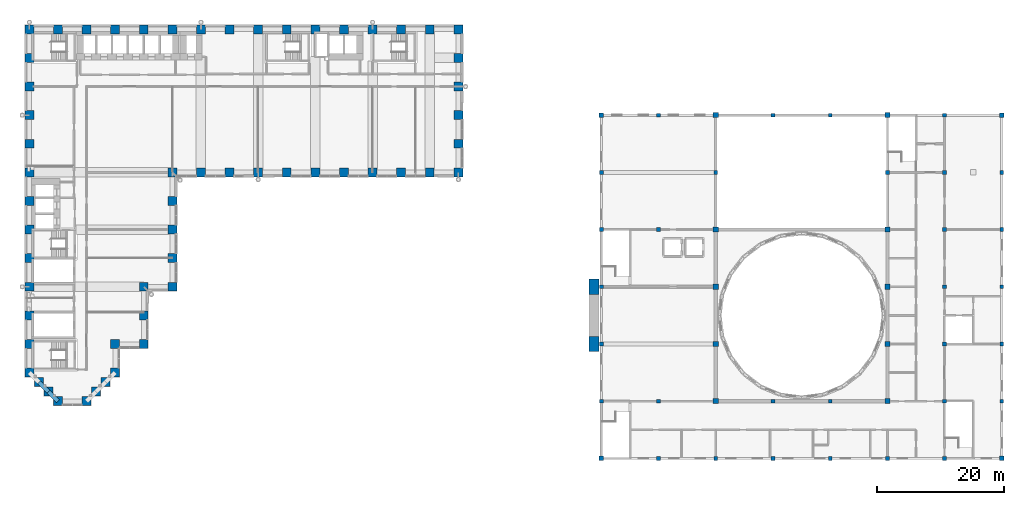
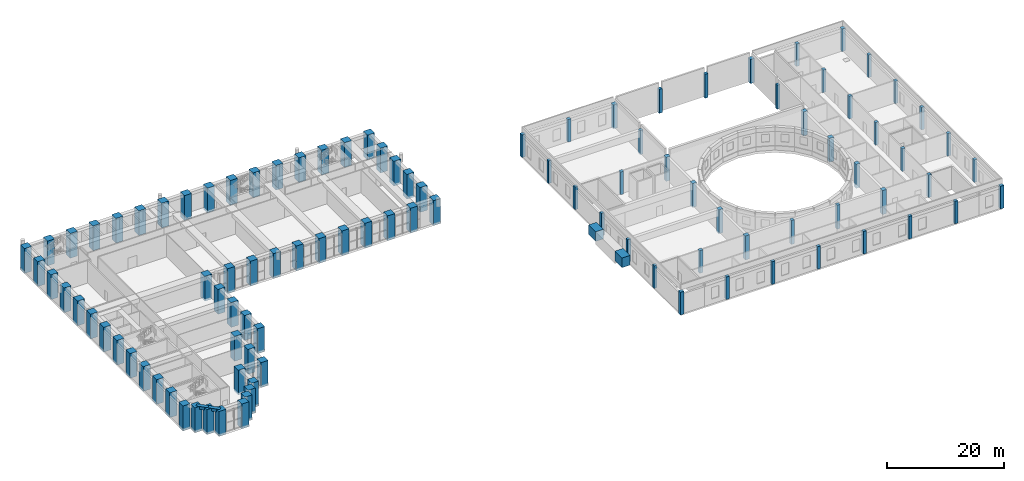
# One storey, part 1 of 35: 105 columns, 2 beams.
"""IFC4 building model written with IfcOpenShell, lengths in metres."""

import ifcopenshell
import ifcopenshell.guid

model = None  # the IFC model being written
_history = None  # IfcOwnerHistory: only IFC2X3 demands one
_inside = {}  # id of a spatial element -> (the spatial element, [elements in it])
_under = {}  # id of a project, library or spatial element -> (it, [spatial elements below it])
_declared = {}  # id of a project -> (the project, [libraries it declares])
_typed = {}  # id of a type object -> (the type object, [elements of that type])
_made_of = {}  # id of a material, layer set ... -> (it, [elements and type objects made of it])


def new_model(schema):
    """Start an empty IFC model of exactly this schema.

    Asked for "IFC4X3", IfcOpenShell would pick the latest addendum, in which some entities
    have other attributes; the version numbers below select the first issue.
    IFC2X3 requires an IfcOwnerHistory on every rooted entity: one is made here for all.
    """
    global model, _history
    if schema == "IFC4X3":
        model = ifcopenshell.file(schema_version=(4, 3, 0, 0))
    else:
        model = ifcopenshell.file(schema=schema)
    _inside.clear()
    _under.clear()
    _declared.clear()
    _typed.clear()
    _made_of.clear()
    _history = None
    if model.schema == "IFC2X3":
        org = make("IfcOrganization", Name="unknown")
        user = make(
            "IfcPersonAndOrganization",
            ThePerson=make("IfcPerson", FamilyName="unknown"),
            TheOrganization=org,
        )
        app = make(
            "IfcApplication",
            ApplicationDeveloper=org,
            Version="unknown",
            ApplicationFullName="unknown",
            ApplicationIdentifier="unknown",
        )
        _history = make(
            "IfcOwnerHistory",
            OwningUser=user,
            OwningApplication=app,
            ChangeAction="ADDED",
            CreationDate=0,
        )
    return model


def make(cls, **values):
    """One entity of the class cls with the attributes given. An attribute that is None is left unset."""
    return model.create_entity(
        cls, **{name: value for name, value in values.items() if value is not None}
    )


def rooted(cls, **values):
    """An entity with a GlobalId (a new one), such as an element, a storey or a relation."""
    return make(cls, GlobalId=ifcopenshell.guid.new(), OwnerHistory=_history, **values)


def si_unit(unit_type, name, prefix=None):
    """IfcSIUnit, for example si_unit("LENGTHUNIT", "METRE", prefix="MILLI")."""
    return make("IfcSIUnit", UnitType=unit_type, Prefix=prefix, Name=name)


def assignment(units):
    """IfcUnitAssignment: the units of a project."""
    return None if units is None else make("IfcUnitAssignment", Units=units)


def point(xyz):
    """IfcCartesianPoint."""
    return None if xyz is None else make("IfcCartesianPoint", Coordinates=xyz)


def direction(xyz):
    """IfcDirection."""
    return None if xyz is None else make("IfcDirection", DirectionRatios=xyz)


def frame(location, z_axis=None, x_axis=None):
    """IfcAxis2Placement3D, a coordinate frame: its origin and axes. An axis left out is left unset."""
    return make(
        "IfcAxis2Placement3D",
        Location=point(location),
        Axis=direction(z_axis),
        RefDirection=direction(x_axis),
    )


def frame_2d(location, x_axis=None):
    """IfcAxis2Placement2D, a coordinate frame in the plane: its origin and x axis."""
    return make(
        "IfcAxis2Placement2D", Location=point(location), RefDirection=direction(x_axis)
    )


def origin():
    """The frame at (0, 0, 0) with its axes left unset."""
    return frame((0.0, 0.0, 0.0))


def origin_2d():
    """The frame at (0, 0) in the plane with its x axis left unset."""
    return frame_2d((0.0, 0.0))


def place(relative_to, where):
    """IfcLocalPlacement: puts the frame where relative to a parent placement (None: the world)."""
    return make(
        "IfcLocalPlacement", PlacementRelTo=relative_to, RelativePlacement=where
    )


def context(
    kind, dimensions, precision=None, world=None, true_north=None, identifier=None
):
    """IfcGeometricRepresentationContext, for example the 3D "Model" context."""
    return make(
        "IfcGeometricRepresentationContext",
        ContextIdentifier=identifier,
        ContextType=kind,
        CoordinateSpaceDimension=dimensions,
        Precision=precision,
        WorldCoordinateSystem=world,
        TrueNorth=true_north,
    )


def subcontext(parent, identifier, kind, view, scale=None):
    """IfcGeometricRepresentationSubContext, for example "Body" below "Model"."""
    return make(
        "IfcGeometricRepresentationSubContext",
        ContextIdentifier=identifier,
        ContextType=kind,
        ParentContext=parent,
        TargetScale=scale,
        TargetView=view,
    )


def project(units=None, contexts=None):
    """IfcProject with its units and contexts."""
    return rooted(
        "IfcProject",
        Name="project",
        RepresentationContexts=contexts,
        UnitsInContext=assignment(units),
    )


def spatial(cls, under=None, at=None, **own):
    """A site, building, storey or space (cls), placed at a placement, below another one or the project."""
    s = rooted(cls, ObjectPlacement=at, **own)
    if under is not None:
        _under.setdefault(under.id(), (under, []))[1].append(s)
    return s


def profile(cls, at=None, kind="AREA", **sizes):
    """A parametric profile (cls). Its sizes go by their IFC names, for example OverallWidth=200.0."""
    return make(cls, ProfileType=kind, Position=at, **sizes)


def rectangle(**sizes):
    """IfcRectangleProfileDef."""
    return profile("IfcRectangleProfileDef", **sizes)


def extrude(swept, where, along, depth):
    """IfcExtrudedAreaSolid: the profile swept, set in the frame where, extruded along a direction by depth."""
    return make(
        "IfcExtrudedAreaSolid",
        SweptArea=swept,
        Position=where,
        ExtrudedDirection=direction(along),
        Depth=depth,
    )


def shape(context_of_items, identifier, shape_type, items):
    """IfcShapeRepresentation: the items that make up one representation, for example the "Body"."""
    return make(
        "IfcShapeRepresentation",
        ContextOfItems=context_of_items,
        RepresentationIdentifier=identifier,
        RepresentationType=shape_type,
        Items=items,
    )


def material(Name=None, Category=None):
    """IfcMaterial."""
    return make("IfcMaterial", Name=Name, Category=Category)


def material_profile(
    of_material, cross_section, Name=None, Category=None, Priority=None
):
    """IfcMaterialProfile: a cross section and its material."""
    return make(
        "IfcMaterialProfile",
        Name=Name,
        Material=of_material,
        Profile=cross_section,
        Priority=Priority,
        Category=Category,
    )


def profile_set(profiles, Name=None, composite=None):
    """IfcMaterialProfileSet."""
    return make(
        "IfcMaterialProfileSet",
        Name=Name,
        MaterialProfiles=profiles,
        CompositeProfile=composite,
    )


def made_of(thing, what):
    """Note that an element or type object is made of a material, layer set ...; save() writes the relation."""
    if what is not None:
        _made_of.setdefault(what.id(), (what, []))[1].append(thing)
    return thing


def type_object(cls, material=None, **own):
    """A type object (cls), such as IfcWallType, which elements share."""
    return made_of(rooted(cls, **own), material)


def element(
    cls,
    number,
    at=None,
    inside=None,
    cuts=None,
    type_object=None,
    material=None,
    context=None,
    identifier="Body",
    shape_type=None,
    held_by="IfcProductDefinitionShape",
    body=None,
    shapes=None,
    **own,
):
    """One element of the class cls, such as IfcWall. Its Tag is "e" and its number.

    at: its placement. inside: the storey or other place that contains it. cuts: it is an
    opening in that element (IfcRelVoidsElement). A single representation is given by context,
    identifier, shape_type and body (its items); several are given by shapes. held_by: the class
    of the entity that holds the representations. save() writes the other relations.
    """
    e = rooted(cls, Tag="e%d" % number, ObjectPlacement=at, **own)
    if body is not None:
        shapes = [shape(context, identifier, shape_type, body)]
    if shapes is not None:
        e.Representation = make(held_by, Representations=shapes)
    if inside is not None:
        _inside.setdefault(inside.id(), (inside, []))[1].append(e)
    if cuts is not None:
        rooted(
            "IfcRelVoidsElement", RelatingBuildingElement=cuts, RelatedOpeningElement=e
        )
    if type_object is not None:
        _typed.setdefault(type_object.id(), (type_object, []))[1].append(e)
    return made_of(e, material)


def aggregate(whole, parts):
    """IfcRelAggregates: a whole, such as a stair, and the parts it consists of."""
    return rooted("IfcRelAggregates", RelatingObject=whole, RelatedObjects=parts)


def save(model, path):
    """Write the relations noted so far, then the file.

    IfcRelAggregates (storeys below a building ...), IfcRelContainedInSpatialStructure (elements
    in a storey), IfcRelDefinesByType, IfcRelAssociatesMaterial and IfcRelDeclares: one each for
    every whole, place, type object, material and project.
    """
    for whole, parts in _under.values():
        aggregate(whole, parts)
    for where, things in _inside.values():
        rooted(
            "IfcRelContainedInSpatialStructure",
            RelatedElements=things,
            RelatingStructure=where,
        )
    for kind, things in _typed.values():
        rooted("IfcRelDefinesByType", RelatedObjects=things, RelatingType=kind)
    for what, things in _made_of.values():
        rooted("IfcRelAssociatesMaterial", RelatedObjects=things, RelatingMaterial=what)
    for by, libraries in _declared.values():
        rooted("IfcRelDeclares", RelatingContext=by, RelatedDefinitions=libraries)
    model.write(path)


model = new_model("IFC4")

# Units and contexts
model_context = context("Model", 3, precision=1e-05, world=origin(), true_north=direction((0.0, 1.0)))
body_context = subcontext(model_context, "Body", "Model", "MODEL_VIEW")
ifc_project = project(units=[si_unit("LENGTHUNIT", "METRE"), si_unit("AREAUNIT", "SQUARE_METRE"), si_unit("VOLUMEUNIT", "CUBIC_METRE"), si_unit("PLANEANGLEUNIT", "RADIAN"), si_unit("MASSUNIT", "GRAM", prefix="KILO")], contexts=[model_context])

# Site, building, storey
site_placement = place(None, origin())
site = spatial("IfcSite", under=ifc_project, at=site_placement, CompositionType="ELEMENT")
building_placement = place(site_placement, origin())
building = spatial("IfcBuilding", under=site, at=building_placement, Name="Firuza Court", CompositionType="ELEMENT")
storey_placement = place(building_placement, frame((0.0, 0.0, 24.0)))
storey = spatial("IfcBuildingStorey", under=building, at=storey_placement, Name="L04", CompositionType="ELEMENT", Elevation=24.0)

# Columns
ifc_material_1 = material(Name="Concrete C40/50", Category="concrete")
ifc_material_profile_1 = material_profile(ifc_material_1, rectangle(XDim=0.60009765625, YDim=0.60009765625, at=origin_2d()), Name="RC 600X600")
ifc_profile_set_1 = profile_set([ifc_material_profile_1], Name="Concrete C40/50")
column_type_1 = type_object("IfcColumnType", Name="RC COLUMN 600X600", PredefinedType="COLUMN", material=ifc_profile_set_1)
for number, where, z_axis, x_axis, name in (
    (1, (90.0, 0.0, 0.0), (0.0, 0.0, 1.0), (1.0, 0.0, 0.0), "Column 1-2 L04"),
    (2, (90.0, 9.0, 0.0), (0.0, 0.0, 1.0), (1.0, 0.0, 0.0), "Column 1-3 L04"),
    (3, (90.0, 18.0, 0.0), (0.0, 0.0, 1.0), (1.0, 0.0, 0.0), "Column 1-4 L04"),
    (4, (90.0, 27.0, 0.0), (0.0, 0.0, 1.0), (1.0, 0.0, 0.0), "Column 1-5 L04"),
    (5, (90.0, 36.0, 0.0), (0.0, 0.0, 1.0), (1.0, 0.0, 0.0), "Column 1-6 L04"),
    (6, (99.0, -9.0, 0.0), (0.0, 0.0, 1.0), (1.0, 0.0, 0.0), "Column 2-1 L04"),
    (7, (99.0, 0.0, 0.0), (0.0, 0.0, 1.0), (1.0, 0.0, 0.0), "Column 2-2 L04"),
    (8, (99.0, 27.0, 0.0), (0.0, 0.0, 1.0), (1.0, 0.0, 0.0), "Column 2-5 L04"),
    (9, (99.0, 45.0, 0.0), (0.0, 0.0, 1.0), (1.0, 0.0, 0.0), "Column 2-7 L04"),
    (10, (108.0, -9.0, 0.0), (0.0, 0.0, 1.0), (1.0, 0.0, 0.0), "Column 3-1 L04"),
):
    element("IfcColumn", number, at=place(storey_placement, frame(where, z_axis=z_axis, x_axis=x_axis)), inside=storey, type_object=column_type_1, Name=name, PredefinedType="COLUMN", context=body_context, shape_type="SweptSolid", body=[
        extrude(rectangle(XDim=0.60009765625, YDim=0.60009765625, at=origin_2d()), origin(), (0.0, 0.0, 1.0), 4.699951171875),
    ])
column_1_placement = place(storey_placement, frame((108.0, 36.0, -0.300048828125), z_axis=(0.0, 0.0, 1.0), x_axis=(1.0, 0.0, 0.0)))
element("IfcColumn", 11, at=column_1_placement, inside=storey, type_object=column_type_1, Name="Column 3-6 L04", PredefinedType="COLUMN", context=body_context, shape_type="SweptSolid", body=[
    extrude(rectangle(XDim=0.60009765625, YDim=0.60009765625, at=origin_2d()), origin(), (0.0, 0.0, 1.0), 5.0),
])
column_2_placement = place(storey_placement, frame((117.0, -9.0, 0.0), z_axis=(0.0, 0.0, 1.0), x_axis=(1.0, 0.0, 0.0)))
element("IfcColumn", 12, at=column_2_placement, inside=storey, type_object=column_type_1, Name="Column 4-1 L04", PredefinedType="COLUMN", context=body_context, shape_type="SweptSolid", body=[
    extrude(rectangle(XDim=0.60009765625, YDim=0.60009765625, at=origin_2d()), origin(), (0.0, 0.0, 1.0), 4.699951171875),
])
for number, where, z_axis, x_axis, name in (
    (13, (117.0, 0.0, -0.300048828125), (0.0, 0.0, 1.0), (1.0, 0.0, 0.0), "Column 4-2 L04"),
    (14, (117.0, 45.0, -0.300048828125), (0.0, 0.0, 1.0), (1.0, 0.0, 0.0), "Column 4-7 L04"),
):
    element("IfcColumn", number, at=place(storey_placement, frame(where, z_axis=z_axis, x_axis=x_axis)), inside=storey, type_object=column_type_1, Name=name, PredefinedType="COLUMN", context=body_context, shape_type="SweptSolid", body=[
        extrude(rectangle(XDim=0.60009765625, YDim=0.60009765625, at=origin_2d()), origin(), (0.0, 0.0, 1.0), 5.0),
    ])
column_3_placement = place(storey_placement, frame((126.0, -9.0, 0.0), z_axis=(0.0, 0.0, 1.0), x_axis=(1.0, 0.0, 0.0)))
element("IfcColumn", 15, at=column_3_placement, inside=storey, type_object=column_type_1, Name="Column 5-1 L04", PredefinedType="COLUMN", context=body_context, shape_type="SweptSolid", body=[
    extrude(rectangle(XDim=0.60009765625, YDim=0.60009765625, at=origin_2d()), origin(), (0.0, 0.0, 1.0), 4.699951171875),
])
for number, where, z_axis, x_axis, name in (
    (16, (126.0, 0.0, -0.300048828125), (0.0, 0.0, 1.0), (1.0, 0.0, 0.0), "Column 5-2 L04"),
    (17, (126.0, 45.0, -0.300048828125), (0.0, 0.0, 1.0), (1.0, 0.0, 0.0), "Column 5-7 L04"),
):
    element("IfcColumn", number, at=place(storey_placement, frame(where, z_axis=z_axis, x_axis=x_axis)), inside=storey, type_object=column_type_1, Name=name, PredefinedType="COLUMN", context=body_context, shape_type="SweptSolid", body=[
        extrude(rectangle(XDim=0.60009765625, YDim=0.60009765625, at=origin_2d()), origin(), (0.0, 0.0, 1.0), 5.0),
    ])
column_4_placement = place(storey_placement, frame((135.0, -9.0, 0.0), z_axis=(0.0, 0.0, 1.0), x_axis=(1.0, 0.0, 0.0)))
element("IfcColumn", 18, at=column_4_placement, inside=storey, type_object=column_type_1, Name="Column 6-1 L04", PredefinedType="COLUMN", context=body_context, shape_type="SweptSolid", body=[
    extrude(rectangle(XDim=0.60009765625, YDim=0.60009765625, at=origin_2d()), origin(), (0.0, 0.0, 1.0), 4.699951171875),
])
column_5_placement = place(storey_placement, frame((135.0, 36.0, -0.300048828125), z_axis=(0.0, 0.0, 1.0), x_axis=(1.0, 0.0, 0.0)))
element("IfcColumn", 19, at=column_5_placement, inside=storey, type_object=column_type_1, Name="Column 6-6 L04", PredefinedType="COLUMN", context=body_context, shape_type="SweptSolid", body=[
    extrude(rectangle(XDim=0.60009765625, YDim=0.60009765625, at=origin_2d()), origin(), (0.0, 0.0, 1.0), 5.0),
])
for number, where, z_axis, x_axis, name in (
    (20, (144.0, -9.0, 0.0), (0.0, 0.0, 1.0), (1.0, 0.0, 0.0), "Column 7-1 L04"),
    (21, (144.0, 0.0, 0.0), (0.0, 0.0, 1.0), (1.0, 0.0, 0.0), "Column 7-2 L04"),
    (22, (144.0, 9.0, 0.0), (0.0, 0.0, 1.0), (1.0, 0.0, 0.0), "Column 7-3 L04"),
    (23, (144.0, 18.0, 0.0), (0.0, 0.0, 1.0), (1.0, 0.0, 0.0), "Column 7-4 L04"),
    (24, (144.0, 27.0, 0.0), (0.0, 0.0, 1.0), (1.0, 0.0, 0.0), "Column 7-5 L04"),
    (25, (144.0, 36.0, 0.0), (0.0, 0.0, 1.0), (1.0, 0.0, 0.0), "Column 7-6 L04"),
    (26, (144.0, 45.0, 0.0), (0.0, 0.0, 1.0), (1.0, 0.0, 0.0), "Column 7-7 L04"),
    (27, (153.0, 0.0, 0.0), (0.0, 0.0, 1.0), (1.0, 0.0, 0.0), "Column 8-2 L04"),
    (28, (153.0, 9.0, 0.0), (0.0, 0.0, 1.0), (1.0, 0.0, 0.0), "Column 8-3 L04"),
    (29, (153.0, 18.0, 0.0), (0.0, 0.0, 1.0), (1.0, 0.0, 0.0), "Column 8-4 L04"),
    (30, (153.0, 27.0, 0.0), (0.0, 0.0, 1.0), (1.0, 0.0, 0.0), "Column 8-5 L04"),
    (31, (153.0, 36.0, 0.0), (0.0, 0.0, 1.0), (1.0, 0.0, 0.0), "Column 8-6 L04"),
):
    element("IfcColumn", number, at=place(storey_placement, frame(where, z_axis=z_axis, x_axis=x_axis)), inside=storey, type_object=column_type_1, Name=name, PredefinedType="COLUMN", context=body_context, shape_type="SweptSolid", body=[
        extrude(rectangle(XDim=0.60009765625, YDim=0.60009765625, at=origin_2d()), origin(), (0.0, 0.0, 1.0), 4.699951171875),
    ])
ifc_material_2 = material(Name="Concrete C40/50", Category="concrete")
ifc_material_profile_2 = material_profile(ifc_material_2, rectangle(XDim=0.699951171875, YDim=0.699951171875, at=origin_2d()), Name="RC 700X700")
ifc_profile_set_2 = profile_set([ifc_material_profile_2], Name="Concrete C40/50")
column_type_2 = type_object("IfcColumnType", Name="RC COLUMN 700X700", PredefinedType="COLUMN", material=ifc_profile_set_2)
for number, where, z_axis, x_axis, name in (
    (32, (90.0, -9.0, 0.0), (0.0, 0.0, 1.0), (1.0, 0.0, 0.0), "Column 1-1 L04"),
    (33, (90.0, 45.0, 0.0), (0.0, 0.0, 1.0), (1.0, 0.0, 0.0), "Column 1-7 L04"),
    (34, (153.0, -9.0, 0.0), (0.0, 0.0, 1.0), (1.0, 0.0, 0.0), "Column 8-1 L04"),
    (35, (153.0, 45.0, 0.0), (0.0, 0.0, 1.0), (1.0, 0.0, 0.0), "Column 8-7 L04"),
):
    element("IfcColumn", number, at=place(storey_placement, frame(where, z_axis=z_axis, x_axis=x_axis)), inside=storey, type_object=column_type_2, Name=name, PredefinedType="COLUMN", context=body_context, shape_type="SweptSolid", body=[
        extrude(rectangle(XDim=0.699951171875, YDim=0.699951171875, at=origin_2d()), origin(), (0.0, 0.0, 1.0), 4.699951171875),
    ])
ifc_material_3 = material(Name="Concrete C40/50", Category="concrete")
ifc_material_profile_3 = material_profile(ifc_material_3, rectangle(XDim=0.800048828125, YDim=0.800048828125, at=origin_2d()), Name="RC 800X800")
ifc_profile_set_3 = profile_set([ifc_material_profile_3], Name="Concrete C40/50")
column_type_3 = type_object("IfcColumnType", Name="RC COLUMN 800X800", PredefinedType="COLUMN", material=ifc_profile_set_3)
for number, where, z_axis, x_axis, name in (
    (36, (108.0, 0.0, -0.300048828125), (0.0, 0.0, 1.0), (1.0, 0.0, 0.0), "Column 3-2 L04"),
    (37, (108.0, 9.0, -0.300048828125), (0.0, 0.0, 1.0), (1.0, 0.0, 0.0), "Column 3-3 L04"),
    (38, (108.0, 18.0, -0.300048828125), (0.0, 0.0, 1.0), (1.0, 0.0, 0.0), "Column 3-4 L04"),
    (39, (108.0, 27.0, -0.300048828125), (0.0, 0.0, 1.0), (1.0, 0.0, 0.0), "Column 3-5 L04"),
    (40, (108.0, 45.0, -0.300048828125), (0.0, 0.0, 1.0), (1.0, 0.0, 0.0), "Column 3-7 L04"),
    (41, (135.0, 0.0, -0.300048828125), (0.0, 0.0, 1.0), (1.0, 0.0, 0.0), "Column 6-2 L04"),
    (42, (135.0, 9.0, -0.300048828125), (0.0, 0.0, 1.0), (1.0, 0.0, 0.0), "Column 6-3 L04"),
    (43, (135.0, 18.0, -0.300048828125), (0.0, 0.0, 1.0), (1.0, 0.0, 0.0), "Column 6-4 L04"),
    (44, (135.0, 27.0, -0.300048828125), (0.0, 0.0, 1.0), (1.0, 0.0, 0.0), "Column 6-5 L04"),
    (45, (135.0, 45.0, -0.300048828125), (0.0, 0.0, 1.0), (1.0, 0.0, 0.0), "Column 6-7 L04"),
):
    element("IfcColumn", number, at=place(storey_placement, frame(where, z_axis=z_axis, x_axis=x_axis)), inside=storey, type_object=column_type_3, Name=name, PredefinedType="COLUMN", context=body_context, shape_type="SweptSolid", body=[
        extrude(rectangle(XDim=0.800048828125, YDim=0.800048828125, at=origin_2d()), origin(), (0.0, 0.0, 1.0), 5.0),
    ])
ifc_material_4 = material(Name="Concrete C40/50", Category="concrete")
ifc_material_profile_4 = material_profile(ifc_material_4, rectangle(XDim=1.60009765625, YDim=2.39990234375, at=origin_2d()), Name="RC 1600X2400")
ifc_profile_set_4 = profile_set([ifc_material_profile_4], Name="Concrete C40/50")
column_type_4 = type_object("IfcColumnType", Name="RC PORTAL PIER 1600X2400", PredefinedType="COLUMN", material=ifc_profile_set_4)
for number, where, z_axis, x_axis, name in (
    (46, (88.85009765625, 9.0, 0.0), (0.0, 0.0, 1.0), (1.0, 0.0, 0.0), "Portal pier 1 L04"),
    (47, (88.85009765625, 18.0, 0.0), (0.0, 0.0, 1.0), (1.0, 0.0, 0.0), "Portal pier 2 L04"),
):
    element("IfcColumn", number, at=place(storey_placement, frame(where, z_axis=z_axis, x_axis=x_axis)), inside=storey, type_object=column_type_4, Name=name, PredefinedType="COLUMN", context=body_context, shape_type="SweptSolid", body=[
        extrude(rectangle(XDim=1.60009765625, YDim=2.39990234375, at=origin_2d()), origin(), (0.0, 0.0, 1.0), 2.0),
    ])
ifc_material_5 = material(Name="Concrete C80/95", Category="concrete")
ifc_material_profile_5 = material_profile(ifc_material_5, rectangle(XDim=1.39990234375, YDim=1.39990234375, at=origin_2d()), Name="RC 1400x1400")
ifc_profile_set_5 = profile_set([ifc_material_profile_5], Name="Concrete C80/95")
column_type_5 = type_object("IfcColumnType", Name="Tube column RC 1400x1400 C80/95", PredefinedType="COLUMN", material=ifc_profile_set_5)
for number, where, z_axis, x_axis, name in (
    (48, (4.5, 0.0, -0.449951171875), (0.0, 0.0, 1.0), (1.0, 0.0, 0.0), "Column C-2D L04"),
    (49, (9.0, 0.0, -0.449951171875), (0.0, 0.0, 1.0), (1.0, 0.0, 0.0), "Column C-3D L04"),
    (50, (3.0, 1.5, -0.449951171875), (0.0, 0.0, 1.0), (1.0, 0.0, 0.0), "Column C-SA1 L04"),
    (51, (10.5, 1.5, -0.449951171875), (0.0, 0.0, 1.0), (1.0, 0.0, 0.0), "Column C-SA2 L04"),
    (52, (1.5, 3.0, -0.449951171875), (0.0, 0.0, 1.0), (1.0, 0.0, 0.0), "Column C-SA3 L04"),
    (53, (12.0, 3.0, -0.449951171875), (0.0, 0.0, 1.0), (1.0, 0.0, 0.0), "Column C-SA4 L04"),
    (54, (0.0, 4.5, -0.449951171875), (0.0, 0.0, 1.0), (1.0, 0.0, 0.0), "Column C-1E L04"),
    (55, (13.5, 4.5, -0.449951171875), (0.0, 0.0, 1.0), (1.0, 0.0, 0.0), "Column C-4E L04"),
    (56, (0.0, 9.0, -0.449951171875), (0.0, 0.0, 1.0), (1.0, 0.0, 0.0), "Column C-1F L04"),
    (57, (13.5, 9.0, -0.449951171875), (0.0, 0.0, 1.0), (1.0, 0.0, 0.0), "Column C-4F L04"),
    (58, (18.0, 9.0, -0.449951171875), (0.0, 0.0, 1.0), (1.0, 0.0, 0.0), "Column C-5F L04"),
    (59, (0.0, 13.5, -0.449951171875), (0.0, 0.0, 1.0), (1.0, 0.0, 0.0), "Column C-1G L04"),
    (60, (18.0, 13.5, -0.449951171875), (0.0, 0.0, 1.0), (1.0, 0.0, 0.0), "Column C-5G L04"),
    (61, (0.0, 18.0, -0.449951171875), (0.0, 0.0, 1.0), (1.0, 0.0, 0.0), "Column C-1H L04"),
    (62, (18.0, 18.0, -0.449951171875), (0.0, 0.0, 1.0), (1.0, 0.0, 0.0), "Column C-5H L04"),
    (63, (22.5, 18.0, -0.449951171875), (0.0, 0.0, 1.0), (1.0, 0.0, 0.0), "Column C-6H L04"),
    (64, (0.0, 22.5, -0.449951171875), (0.0, 0.0, 1.0), (1.0, 0.0, 0.0), "Column C-1J L04"),
    (65, (22.5, 22.5, -0.449951171875), (0.0, 0.0, 1.0), (1.0, 0.0, 0.0), "Column C-6J L04"),
    (66, (0.0, 27.0, -0.449951171875), (0.0, 0.0, 1.0), (1.0, 0.0, 0.0), "Column C-1K L04"),
    (67, (22.5, 27.0, -0.449951171875), (0.0, 0.0, 1.0), (1.0, 0.0, 0.0), "Column C-6K L04"),
    (68, (0.0, 31.5, -0.449951171875), (0.0, 0.0, 1.0), (1.0, 0.0, 0.0), "Column C-1L L04"),
    (69, (22.5, 31.5, -0.449951171875), (0.0, 0.0, 1.0), (1.0, 0.0, 0.0), "Column C-6L L04"),
    (70, (0.0, 36.0, -0.449951171875), (0.0, 0.0, 1.0), (1.0, 0.0, 0.0), "Column C-1M L04"),
    (71, (22.5, 36.0, -0.449951171875), (0.0, 0.0, 1.0), (1.0, 0.0, 0.0), "Column C-6M L04"),
    (72, (27.0, 36.0, -0.449951171875), (0.0, 0.0, 1.0), (1.0, 0.0, 0.0), "Column C-7M L04"),
    (73, (31.5, 36.0, -0.449951171875), (0.0, 0.0, 1.0), (1.0, 0.0, 0.0), "Column C-8M L04"),
    (74, (36.0, 36.0, -0.449951171875), (0.0, 0.0, 1.0), (1.0, 0.0, 0.0), "Column C-9M L04"),
    (75, (40.5, 36.0, -0.449951171875), (0.0, 0.0, 1.0), (1.0, 0.0, 0.0), "Column C-10M L04"),
    (76, (45.0, 36.0, -0.449951171875), (0.0, 0.0, 1.0), (1.0, 0.0, 0.0), "Column C-11M L04"),
    (77, (49.5, 36.0, -0.449951171875), (0.0, 0.0, 1.0), (1.0, 0.0, 0.0), "Column C-12M L04"),
    (78, (54.0, 36.0, -0.449951171875), (0.0, 0.0, 1.0), (1.0, 0.0, 0.0), "Column C-13M L04"),
    (79, (58.5, 36.0, -0.449951171875), (0.0, 0.0, 1.0), (1.0, 0.0, 0.0), "Column C-14M L04"),
    (80, (63.0, 36.0, -0.449951171875), (0.0, 0.0, 1.0), (1.0, 0.0, 0.0), "Column C-15M L04"),
    (81, (67.5, 36.0, -0.449951171875), (0.0, 0.0, 1.0), (1.0, 0.0, 0.0), "Column C-16M L04"),
    (82, (0.0, 40.5, -0.449951171875), (0.0, 0.0, 1.0), (1.0, 0.0, 0.0), "Column C-1N L04"),
    (83, (67.5, 40.5, -0.449951171875), (0.0, 0.0, 1.0), (1.0, 0.0, 0.0), "Column C-16N L04"),
    (84, (0.0, 45.0, -0.449951171875), (0.0, 0.0, 1.0), (1.0, 0.0, 0.0), "Column C-1P L04"),
    (85, (67.5, 45.0, -0.449951171875), (0.0, 0.0, 1.0), (1.0, 0.0, 0.0), "Column C-16P L04"),
    (86, (0.0, 49.5, -0.449951171875), (0.0, 0.0, 1.0), (1.0, 0.0, 0.0), "Column C-1Q L04"),
    (87, (67.5, 49.5, -0.449951171875), (0.0, 0.0, 1.0), (1.0, 0.0, 0.0), "Column C-16Q L04"),
    (88, (0.0, 54.0, -0.449951171875), (0.0, 0.0, 1.0), (1.0, 0.0, 0.0), "Column C-1R L04"),
    (89, (67.5, 54.0, -0.449951171875), (0.0, 0.0, 1.0), (1.0, 0.0, 0.0), "Column C-16R L04"),
    (90, (0.0, 58.5, -0.449951171875), (0.0, 0.0, 1.0), (1.0, 0.0, 0.0), "Column C-1S L04"),
    (91, (4.5, 58.5, -0.449951171875), (0.0, 0.0, 1.0), (1.0, 0.0, 0.0), "Column C-2S L04"),
    (92, (9.0, 58.5, -0.449951171875), (0.0, 0.0, 1.0), (1.0, 0.0, 0.0), "Column C-3S L04"),
    (93, (13.5, 58.5, -0.449951171875), (0.0, 0.0, 1.0), (1.0, 0.0, 0.0), "Column C-4S L04"),
    (94, (18.0, 58.5, -0.449951171875), (0.0, 0.0, 1.0), (1.0, 0.0, 0.0), "Column C-5S L04"),
    (95, (22.5, 58.5, -0.449951171875), (0.0, 0.0, 1.0), (1.0, 0.0, 0.0), "Column C-6S L04"),
    (96, (27.0, 58.5, -0.449951171875), (0.0, 0.0, 1.0), (1.0, 0.0, 0.0), "Column C-7S L04"),
    (97, (31.5, 58.5, -0.449951171875), (0.0, 0.0, 1.0), (1.0, 0.0, 0.0), "Column C-8S L04"),
    (98, (36.0, 58.5, -0.449951171875), (0.0, 0.0, 1.0), (1.0, 0.0, 0.0), "Column C-9S L04"),
    (99, (40.5, 58.5, -0.449951171875), (0.0, 0.0, 1.0), (1.0, 0.0, 0.0), "Column C-10S L04"),
    (100, (45.0, 58.5, -0.449951171875), (0.0, 0.0, 1.0), (1.0, 0.0, 0.0), "Column C-11S L04"),
    (101, (49.5, 58.5, -0.449951171875), (0.0, 0.0, 1.0), (1.0, 0.0, 0.0), "Column C-12S L04"),
    (102, (54.0, 58.5, -0.449951171875), (0.0, 0.0, 1.0), (1.0, 0.0, 0.0), "Column C-13S L04"),
    (103, (58.5, 58.5, -0.449951171875), (0.0, 0.0, 1.0), (1.0, 0.0, 0.0), "Column C-14S L04"),
    (104, (63.0, 58.5, -0.449951171875), (0.0, 0.0, 1.0), (1.0, 0.0, 0.0), "Column C-15S L04"),
    (105, (67.5, 58.5, -0.449951171875), (0.0, 0.0, 1.0), (1.0, 0.0, 0.0), "Column C-16S L04"),
):
    element("IfcColumn", number, at=place(storey_placement, frame(where, z_axis=z_axis, x_axis=x_axis)), inside=storey, type_object=column_type_5, Name=name, PredefinedType="COLUMN", context=body_context, shape_type="SweptSolid", body=[
        extrude(rectangle(XDim=1.39990234375, YDim=1.39990234375, at=origin_2d()), origin(), (0.0, 0.0, 1.0), 5.14990234375),
    ])

# Beams
ifc_material_6 = material(Name="Concrete C40/50", Category="concrete")
ifc_material_profile_6 = material_profile(ifc_material_6, rectangle(XDim=0.699951171875, YDim=0.60009765625, at=origin_2d()), Name="RC 700x600")
ifc_profile_set_6 = profile_set([ifc_material_profile_6], Name="Concrete C40/50")
beam_type = type_object("IfcBeamType", Name="Spandrel beam RC 700x600 C40/50", PredefinedType="BEAM", material=ifc_profile_set_6)
for number, where, z_axis, x_axis, name in (
    (106, (1.5, 3.0, 4.39990234375), (0.707106781187, -0.707106781187, 0.0), (0.707106781187, 0.707106781187, 0.0), "Spandrel beam SP10 level L05"),
    (107, (3.0, 1.5, 4.39990234375), (0.707106781187, -0.707106781187, 0.0), (0.707106781187, 0.707106781187, 0.0), "Spandrel beam SP10 level L05"),
):
    element("IfcBeam", number, at=place(storey_placement, frame(where, z_axis=z_axis, x_axis=x_axis)), inside=storey, type_object=beam_type, Name=name, PredefinedType="BEAM", context=body_context, shape_type="SweptSolid", body=[
        extrude(rectangle(XDim=0.699951171875, YDim=0.60009765625, at=origin_2d()), origin(), (0.0, 0.0, 1.0), 2.121337890625),
    ])

save(model, "model.ifc")
